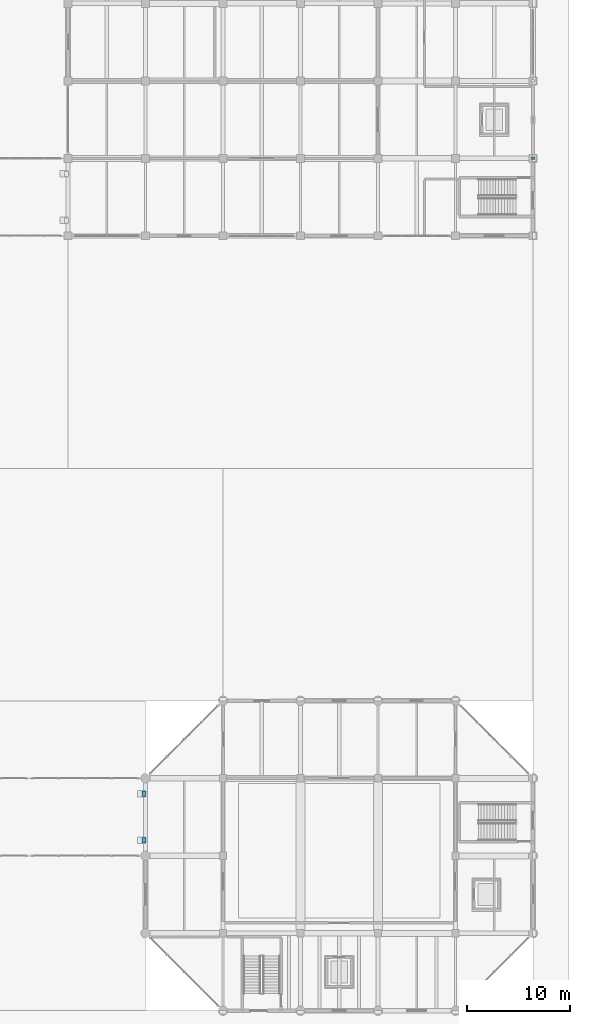
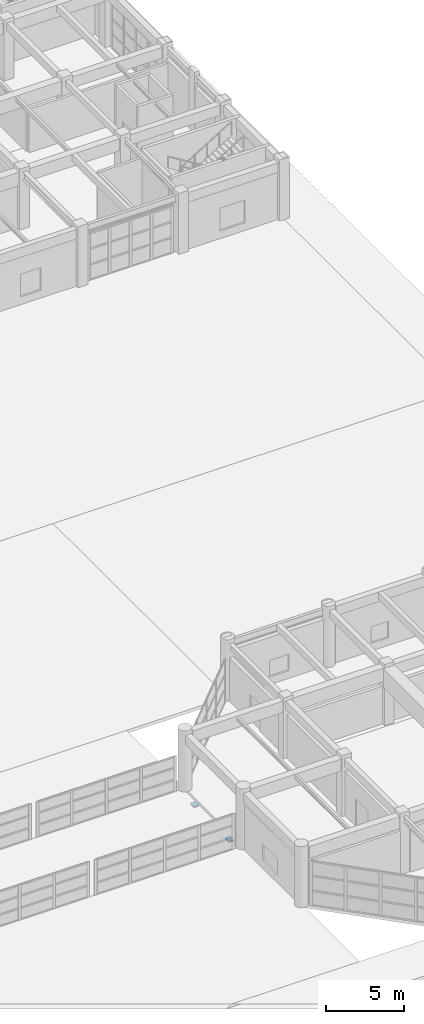
# One storey, part 102 of 122: 3 discrete accessories.
"""IFC4 building model written with IfcOpenShell, lengths in metres."""

import ifcopenshell
import ifcopenshell.guid

model = None  # the IFC model being written
_history = None  # IfcOwnerHistory: only IFC2X3 demands one
_inside = {}  # id of a spatial element -> (the spatial element, [elements in it])
_under = {}  # id of a project, library or spatial element -> (it, [spatial elements below it])
_declared = {}  # id of a project -> (the project, [libraries it declares])
_typed = {}  # id of a type object -> (the type object, [elements of that type])
_made_of = {}  # id of a material, layer set ... -> (it, [elements and type objects made of it])


def new_model(schema):
    """Start an empty IFC model of exactly this schema.

    Asked for "IFC4X3", IfcOpenShell would pick the latest addendum, in which some entities
    have other attributes; the version numbers below select the first issue.
    IFC2X3 requires an IfcOwnerHistory on every rooted entity: one is made here for all.
    """
    global model, _history
    if schema == "IFC4X3":
        model = ifcopenshell.file(schema_version=(4, 3, 0, 0))
    else:
        model = ifcopenshell.file(schema=schema)
    _inside.clear()
    _under.clear()
    _declared.clear()
    _typed.clear()
    _made_of.clear()
    _history = None
    if model.schema == "IFC2X3":
        org = make("IfcOrganization", Name="unknown")
        user = make(
            "IfcPersonAndOrganization",
            ThePerson=make("IfcPerson", FamilyName="unknown"),
            TheOrganization=org,
        )
        app = make(
            "IfcApplication",
            ApplicationDeveloper=org,
            Version="unknown",
            ApplicationFullName="unknown",
            ApplicationIdentifier="unknown",
        )
        _history = make(
            "IfcOwnerHistory",
            OwningUser=user,
            OwningApplication=app,
            ChangeAction="ADDED",
            CreationDate=0,
        )
    return model


def make(cls, **values):
    """One entity of the class cls with the attributes given. An attribute that is None is left unset."""
    return model.create_entity(
        cls, **{name: value for name, value in values.items() if value is not None}
    )


def rooted(cls, **values):
    """An entity with a GlobalId (a new one), such as an element, a storey or a relation."""
    return make(cls, GlobalId=ifcopenshell.guid.new(), OwnerHistory=_history, **values)


def si_unit(unit_type, name, prefix=None):
    """IfcSIUnit, for example si_unit("LENGTHUNIT", "METRE", prefix="MILLI")."""
    return make("IfcSIUnit", UnitType=unit_type, Prefix=prefix, Name=name)


def assignment(units):
    """IfcUnitAssignment: the units of a project."""
    return None if units is None else make("IfcUnitAssignment", Units=units)


def point(xyz):
    """IfcCartesianPoint."""
    return None if xyz is None else make("IfcCartesianPoint", Coordinates=xyz)


def direction(xyz):
    """IfcDirection."""
    return None if xyz is None else make("IfcDirection", DirectionRatios=xyz)


def frame(location, z_axis=None, x_axis=None):
    """IfcAxis2Placement3D, a coordinate frame: its origin and axes. An axis left out is left unset."""
    return make(
        "IfcAxis2Placement3D",
        Location=point(location),
        Axis=direction(z_axis),
        RefDirection=direction(x_axis),
    )


def frame_2d(location, x_axis=None):
    """IfcAxis2Placement2D, a coordinate frame in the plane: its origin and x axis."""
    return make(
        "IfcAxis2Placement2D", Location=point(location), RefDirection=direction(x_axis)
    )


def origin():
    """The frame at (0, 0, 0) with its axes left unset."""
    return frame((0.0, 0.0, 0.0))


def origin_2d():
    """The frame at (0, 0) in the plane with its x axis left unset."""
    return frame_2d((0.0, 0.0))


def place(relative_to, where):
    """IfcLocalPlacement: puts the frame where relative to a parent placement (None: the world)."""
    return make(
        "IfcLocalPlacement", PlacementRelTo=relative_to, RelativePlacement=where
    )


def context(
    kind, dimensions, precision=None, world=None, true_north=None, identifier=None
):
    """IfcGeometricRepresentationContext, for example the 3D "Model" context."""
    return make(
        "IfcGeometricRepresentationContext",
        ContextIdentifier=identifier,
        ContextType=kind,
        CoordinateSpaceDimension=dimensions,
        Precision=precision,
        WorldCoordinateSystem=world,
        TrueNorth=true_north,
    )


def subcontext(parent, identifier, kind, view, scale=None):
    """IfcGeometricRepresentationSubContext, for example "Body" below "Model"."""
    return make(
        "IfcGeometricRepresentationSubContext",
        ContextIdentifier=identifier,
        ContextType=kind,
        ParentContext=parent,
        TargetScale=scale,
        TargetView=view,
    )


def project(units=None, contexts=None):
    """IfcProject with its units and contexts."""
    return rooted(
        "IfcProject",
        Name="project",
        RepresentationContexts=contexts,
        UnitsInContext=assignment(units),
    )


def spatial(cls, under=None, at=None, **own):
    """A site, building, storey or space (cls), placed at a placement, below another one or the project."""
    s = rooted(cls, ObjectPlacement=at, **own)
    if under is not None:
        _under.setdefault(under.id(), (under, []))[1].append(s)
    return s


def profile(cls, at=None, kind="AREA", **sizes):
    """A parametric profile (cls). Its sizes go by their IFC names, for example OverallWidth=200.0."""
    return make(cls, ProfileType=kind, Position=at, **sizes)


def rectangle(**sizes):
    """IfcRectangleProfileDef."""
    return profile("IfcRectangleProfileDef", **sizes)


def extrude(swept, where, along, depth):
    """IfcExtrudedAreaSolid: the profile swept, set in the frame where, extruded along a direction by depth."""
    return make(
        "IfcExtrudedAreaSolid",
        SweptArea=swept,
        Position=where,
        ExtrudedDirection=direction(along),
        Depth=depth,
    )


def shape(context_of_items, identifier, shape_type, items):
    """IfcShapeRepresentation: the items that make up one representation, for example the "Body"."""
    return make(
        "IfcShapeRepresentation",
        ContextOfItems=context_of_items,
        RepresentationIdentifier=identifier,
        RepresentationType=shape_type,
        Items=items,
    )


def material(Name=None, Category=None):
    """IfcMaterial."""
    return make("IfcMaterial", Name=Name, Category=Category)


def made_of(thing, what):
    """Note that an element or type object is made of a material, layer set ...; save() writes the relation."""
    if what is not None:
        _made_of.setdefault(what.id(), (what, []))[1].append(thing)
    return thing


def type_object(cls, material=None, **own):
    """A type object (cls), such as IfcWallType, which elements share."""
    return made_of(rooted(cls, **own), material)


def element(
    cls,
    number,
    at=None,
    inside=None,
    cuts=None,
    type_object=None,
    material=None,
    context=None,
    identifier="Body",
    shape_type=None,
    held_by="IfcProductDefinitionShape",
    body=None,
    shapes=None,
    **own,
):
    """One element of the class cls, such as IfcWall. Its Tag is "e" and its number.

    at: its placement. inside: the storey or other place that contains it. cuts: it is an
    opening in that element (IfcRelVoidsElement). A single representation is given by context,
    identifier, shape_type and body (its items); several are given by shapes. held_by: the class
    of the entity that holds the representations. save() writes the other relations.
    """
    e = rooted(cls, Tag="e%d" % number, ObjectPlacement=at, **own)
    if body is not None:
        shapes = [shape(context, identifier, shape_type, body)]
    if shapes is not None:
        e.Representation = make(held_by, Representations=shapes)
    if inside is not None:
        _inside.setdefault(inside.id(), (inside, []))[1].append(e)
    if cuts is not None:
        rooted(
            "IfcRelVoidsElement", RelatingBuildingElement=cuts, RelatedOpeningElement=e
        )
    if type_object is not None:
        _typed.setdefault(type_object.id(), (type_object, []))[1].append(e)
    return made_of(e, material)


def aggregate(whole, parts):
    """IfcRelAggregates: a whole, such as a stair, and the parts it consists of."""
    return rooted("IfcRelAggregates", RelatingObject=whole, RelatedObjects=parts)


def save(model, path):
    """Write the relations noted so far, then the file.

    IfcRelAggregates (storeys below a building ...), IfcRelContainedInSpatialStructure (elements
    in a storey), IfcRelDefinesByType, IfcRelAssociatesMaterial and IfcRelDeclares: one each for
    every whole, place, type object, material and project.
    """
    for whole, parts in _under.values():
        aggregate(whole, parts)
    for where, things in _inside.values():
        rooted(
            "IfcRelContainedInSpatialStructure",
            RelatedElements=things,
            RelatingStructure=where,
        )
    for kind, things in _typed.values():
        rooted("IfcRelDefinesByType", RelatedObjects=things, RelatingType=kind)
    for what, things in _made_of.values():
        rooted("IfcRelAssociatesMaterial", RelatedObjects=things, RelatingMaterial=what)
    for by, libraries in _declared.values():
        rooted("IfcRelDeclares", RelatingContext=by, RelatedDefinitions=libraries)
    model.write(path)


model = new_model("IFC4")

# Units and contexts
model_context = context("Model", 3, precision=1e-05, world=origin(), true_north=direction((0.0, 1.0)))
body_context = subcontext(model_context, "Body", "Model", "MODEL_VIEW")
ifc_project = project(units=[si_unit("LENGTHUNIT", "METRE"), si_unit("AREAUNIT", "SQUARE_METRE"), si_unit("VOLUMEUNIT", "CUBIC_METRE"), si_unit("PLANEANGLEUNIT", "RADIAN"), si_unit("MASSUNIT", "GRAM", prefix="KILO")], contexts=[model_context])

# Site, building, storey
site_placement = place(None, origin())
site = spatial("IfcSite", under=ifc_project, at=site_placement, CompositionType="ELEMENT")
building_placement = place(site_placement, origin())
building = spatial("IfcBuilding", under=site, at=building_placement, Name="Qasida Concert Hall", CompositionType="ELEMENT")
storey_placement = place(building_placement, origin())
storey = spatial("IfcBuildingStorey", under=building, at=storey_placement, Name="L00", CompositionType="ELEMENT", Elevation=0.0)

# Discrete accessories
ifc_material = material(Name="Steel S355J2", Category="steel")
discrete_accessory_type_1 = type_object("IfcDiscreteAccessoryType", Name="ACC-CONN-S355", PredefinedType="BRACKET", material=ifc_material)
discrete_accessory_placement = place(storey_placement, frame((165.0, 82.5, -0.011962890625), z_axis=(0.0, 0.0, 1.0), x_axis=(1.0, 0.0, 0.0)))
element("IfcDiscreteAccessory", 1, at=discrete_accessory_placement, inside=storey, type_object=discrete_accessory_type_1, Name="Steel brace/strut end connection CN-0228", PredefinedType="BRACKET", context=body_context, shape_type="SweptSolid", body=[
    extrude(rectangle(XDim=0.280029296875, YDim=0.239990234375, at=origin_2d()), origin(), (0.0, 0.0, 1.0), 0.02392578125),
])
discrete_accessory_type_2 = type_object("IfcDiscreteAccessoryType", Name="ACC-PTFE-SLIDE", PredefinedType="BRACKET", material=ifc_material)
for number, where, z_axis, x_axis, name in (
    (2, (127.35009765625, 16.5, -0.400146484375), (0.0, 0.0, 1.0), (1.0, 0.0, 0.0), "Seismic sliding bearing SB-PTFE-039"),
    (3, (127.35009765625, 21.0, -0.400146484375), (0.0, 0.0, 1.0), (1.0, 0.0, 0.0), "Seismic sliding bearing SB-PTFE-040"),
):
    element("IfcDiscreteAccessory", number, at=place(storey_placement, frame(where, z_axis=z_axis, x_axis=x_axis)), inside=storey, type_object=discrete_accessory_type_2, Name=name, PredefinedType="BRACKET", context=body_context, shape_type="SweptSolid", body=[
        extrude(rectangle(XDim=0.35009765625, YDim=0.5, at=origin_2d()), origin(), (0.0, 0.0, 1.0), 0.1201171875),
    ])

save(model, "model.ifc")
